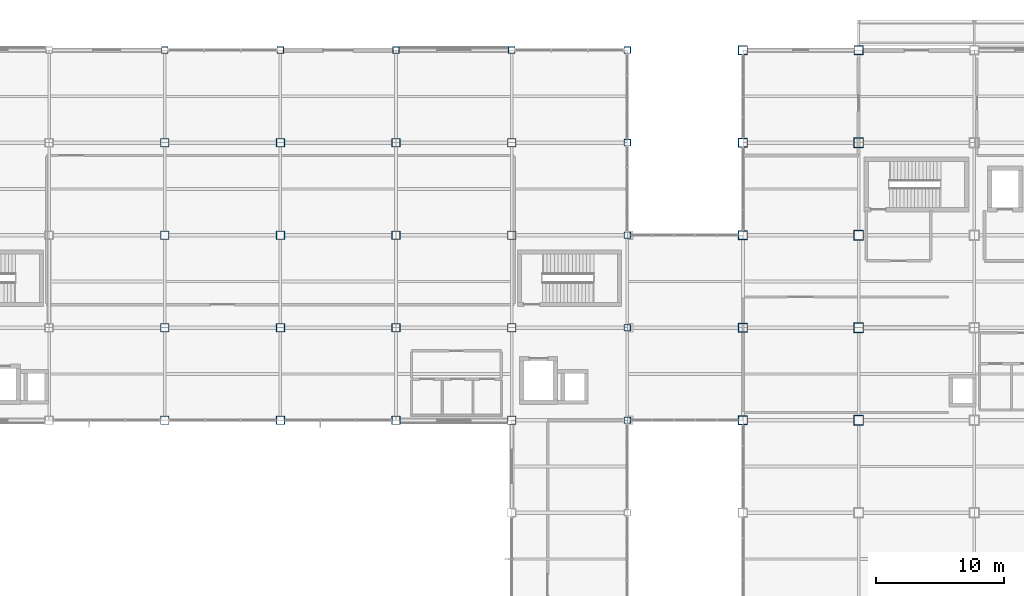
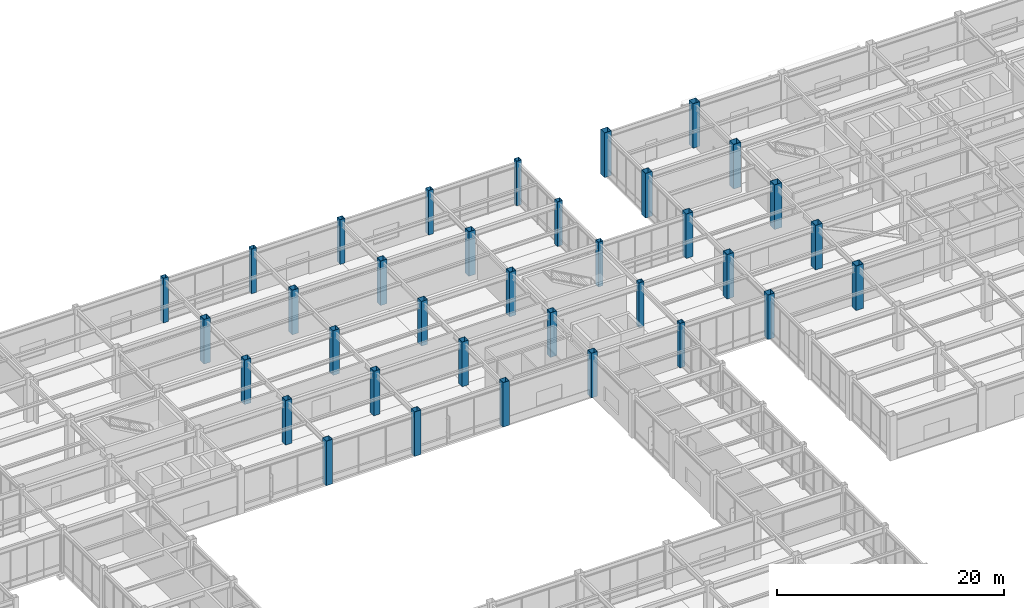
# One storey, part 9 of 112: 35 columns.
"""IFC4 building model written with IfcOpenShell, lengths in metres."""

import ifcopenshell
import ifcopenshell.guid

model = None  # the IFC model being written
_history = None  # IfcOwnerHistory: only IFC2X3 demands one
_inside = {}  # id of a spatial element -> (the spatial element, [elements in it])
_under = {}  # id of a project, library or spatial element -> (it, [spatial elements below it])
_declared = {}  # id of a project -> (the project, [libraries it declares])
_typed = {}  # id of a type object -> (the type object, [elements of that type])
_made_of = {}  # id of a material, layer set ... -> (it, [elements and type objects made of it])


def new_model(schema):
    """Start an empty IFC model of exactly this schema.

    Asked for "IFC4X3", IfcOpenShell would pick the latest addendum, in which some entities
    have other attributes; the version numbers below select the first issue.
    IFC2X3 requires an IfcOwnerHistory on every rooted entity: one is made here for all.
    """
    global model, _history
    if schema == "IFC4X3":
        model = ifcopenshell.file(schema_version=(4, 3, 0, 0))
    else:
        model = ifcopenshell.file(schema=schema)
    _inside.clear()
    _under.clear()
    _declared.clear()
    _typed.clear()
    _made_of.clear()
    _history = None
    if model.schema == "IFC2X3":
        org = make("IfcOrganization", Name="unknown")
        user = make(
            "IfcPersonAndOrganization",
            ThePerson=make("IfcPerson", FamilyName="unknown"),
            TheOrganization=org,
        )
        app = make(
            "IfcApplication",
            ApplicationDeveloper=org,
            Version="unknown",
            ApplicationFullName="unknown",
            ApplicationIdentifier="unknown",
        )
        _history = make(
            "IfcOwnerHistory",
            OwningUser=user,
            OwningApplication=app,
            ChangeAction="ADDED",
            CreationDate=0,
        )
    return model


def make(cls, **values):
    """One entity of the class cls with the attributes given. An attribute that is None is left unset."""
    return model.create_entity(
        cls, **{name: value for name, value in values.items() if value is not None}
    )


def rooted(cls, **values):
    """An entity with a GlobalId (a new one), such as an element, a storey or a relation."""
    return make(cls, GlobalId=ifcopenshell.guid.new(), OwnerHistory=_history, **values)


def si_unit(unit_type, name, prefix=None):
    """IfcSIUnit, for example si_unit("LENGTHUNIT", "METRE", prefix="MILLI")."""
    return make("IfcSIUnit", UnitType=unit_type, Prefix=prefix, Name=name)


def assignment(units):
    """IfcUnitAssignment: the units of a project."""
    return None if units is None else make("IfcUnitAssignment", Units=units)


def point(xyz):
    """IfcCartesianPoint."""
    return None if xyz is None else make("IfcCartesianPoint", Coordinates=xyz)


def direction(xyz):
    """IfcDirection."""
    return None if xyz is None else make("IfcDirection", DirectionRatios=xyz)


def frame(location, z_axis=None, x_axis=None):
    """IfcAxis2Placement3D, a coordinate frame: its origin and axes. An axis left out is left unset."""
    return make(
        "IfcAxis2Placement3D",
        Location=point(location),
        Axis=direction(z_axis),
        RefDirection=direction(x_axis),
    )


def frame_2d(location, x_axis=None):
    """IfcAxis2Placement2D, a coordinate frame in the plane: its origin and x axis."""
    return make(
        "IfcAxis2Placement2D", Location=point(location), RefDirection=direction(x_axis)
    )


def origin():
    """The frame at (0, 0, 0) with its axes left unset."""
    return frame((0.0, 0.0, 0.0))


def origin_2d():
    """The frame at (0, 0) in the plane with its x axis left unset."""
    return frame_2d((0.0, 0.0))


def place(relative_to, where):
    """IfcLocalPlacement: puts the frame where relative to a parent placement (None: the world)."""
    return make(
        "IfcLocalPlacement", PlacementRelTo=relative_to, RelativePlacement=where
    )


def context(
    kind, dimensions, precision=None, world=None, true_north=None, identifier=None
):
    """IfcGeometricRepresentationContext, for example the 3D "Model" context."""
    return make(
        "IfcGeometricRepresentationContext",
        ContextIdentifier=identifier,
        ContextType=kind,
        CoordinateSpaceDimension=dimensions,
        Precision=precision,
        WorldCoordinateSystem=world,
        TrueNorth=true_north,
    )


def subcontext(parent, identifier, kind, view, scale=None):
    """IfcGeometricRepresentationSubContext, for example "Body" below "Model"."""
    return make(
        "IfcGeometricRepresentationSubContext",
        ContextIdentifier=identifier,
        ContextType=kind,
        ParentContext=parent,
        TargetScale=scale,
        TargetView=view,
    )


def project(units=None, contexts=None):
    """IfcProject with its units and contexts."""
    return rooted(
        "IfcProject",
        Name="project",
        RepresentationContexts=contexts,
        UnitsInContext=assignment(units),
    )


def spatial(cls, under=None, at=None, **own):
    """A site, building, storey or space (cls), placed at a placement, below another one or the project."""
    s = rooted(cls, ObjectPlacement=at, **own)
    if under is not None:
        _under.setdefault(under.id(), (under, []))[1].append(s)
    return s


def profile(cls, at=None, kind="AREA", **sizes):
    """A parametric profile (cls). Its sizes go by their IFC names, for example OverallWidth=200.0."""
    return make(cls, ProfileType=kind, Position=at, **sizes)


def hollow_rectangle(**sizes):
    """IfcRectangleHollowProfileDef."""
    return profile("IfcRectangleHollowProfileDef", **sizes)


def extrude(swept, where, along, depth):
    """IfcExtrudedAreaSolid: the profile swept, set in the frame where, extruded along a direction by depth."""
    return make(
        "IfcExtrudedAreaSolid",
        SweptArea=swept,
        Position=where,
        ExtrudedDirection=direction(along),
        Depth=depth,
    )


def shape(context_of_items, identifier, shape_type, items):
    """IfcShapeRepresentation: the items that make up one representation, for example the "Body"."""
    return make(
        "IfcShapeRepresentation",
        ContextOfItems=context_of_items,
        RepresentationIdentifier=identifier,
        RepresentationType=shape_type,
        Items=items,
    )


def material(Name=None, Category=None):
    """IfcMaterial."""
    return make("IfcMaterial", Name=Name, Category=Category)


def material_profile(
    of_material, cross_section, Name=None, Category=None, Priority=None
):
    """IfcMaterialProfile: a cross section and its material."""
    return make(
        "IfcMaterialProfile",
        Name=Name,
        Material=of_material,
        Profile=cross_section,
        Priority=Priority,
        Category=Category,
    )


def profile_set(profiles, Name=None, composite=None):
    """IfcMaterialProfileSet."""
    return make(
        "IfcMaterialProfileSet",
        Name=Name,
        MaterialProfiles=profiles,
        CompositeProfile=composite,
    )


def made_of(thing, what):
    """Note that an element or type object is made of a material, layer set ...; save() writes the relation."""
    if what is not None:
        _made_of.setdefault(what.id(), (what, []))[1].append(thing)
    return thing


def type_object(cls, material=None, **own):
    """A type object (cls), such as IfcWallType, which elements share."""
    return made_of(rooted(cls, **own), material)


def element(
    cls,
    number,
    at=None,
    inside=None,
    cuts=None,
    type_object=None,
    material=None,
    context=None,
    identifier="Body",
    shape_type=None,
    held_by="IfcProductDefinitionShape",
    body=None,
    shapes=None,
    **own,
):
    """One element of the class cls, such as IfcWall. Its Tag is "e" and its number.

    at: its placement. inside: the storey or other place that contains it. cuts: it is an
    opening in that element (IfcRelVoidsElement). A single representation is given by context,
    identifier, shape_type and body (its items); several are given by shapes. held_by: the class
    of the entity that holds the representations. save() writes the other relations.
    """
    e = rooted(cls, Tag="e%d" % number, ObjectPlacement=at, **own)
    if body is not None:
        shapes = [shape(context, identifier, shape_type, body)]
    if shapes is not None:
        e.Representation = make(held_by, Representations=shapes)
    if inside is not None:
        _inside.setdefault(inside.id(), (inside, []))[1].append(e)
    if cuts is not None:
        rooted(
            "IfcRelVoidsElement", RelatingBuildingElement=cuts, RelatedOpeningElement=e
        )
    if type_object is not None:
        _typed.setdefault(type_object.id(), (type_object, []))[1].append(e)
    return made_of(e, material)


def aggregate(whole, parts):
    """IfcRelAggregates: a whole, such as a stair, and the parts it consists of."""
    return rooted("IfcRelAggregates", RelatingObject=whole, RelatedObjects=parts)


def save(model, path):
    """Write the relations noted so far, then the file.

    IfcRelAggregates (storeys below a building ...), IfcRelContainedInSpatialStructure (elements
    in a storey), IfcRelDefinesByType, IfcRelAssociatesMaterial and IfcRelDeclares: one each for
    every whole, place, type object, material and project.
    """
    for whole, parts in _under.values():
        aggregate(whole, parts)
    for where, things in _inside.values():
        rooted(
            "IfcRelContainedInSpatialStructure",
            RelatedElements=things,
            RelatingStructure=where,
        )
    for kind, things in _typed.values():
        rooted("IfcRelDefinesByType", RelatedObjects=things, RelatingType=kind)
    for what, things in _made_of.values():
        rooted("IfcRelAssociatesMaterial", RelatedObjects=things, RelatingMaterial=what)
    for by, libraries in _declared.values():
        rooted("IfcRelDeclares", RelatingContext=by, RelatedDefinitions=libraries)
    model.write(path)


model = new_model("IFC4")

# Units and contexts
model_context = context("Model", 3, precision=1e-05, world=origin(), true_north=direction((0.0, 1.0)))
body_context = subcontext(model_context, "Body", "Model", "MODEL_VIEW")
ifc_project = project(units=[si_unit("LENGTHUNIT", "METRE"), si_unit("AREAUNIT", "SQUARE_METRE"), si_unit("VOLUMEUNIT", "CUBIC_METRE"), si_unit("PLANEANGLEUNIT", "RADIAN"), si_unit("MASSUNIT", "GRAM", prefix="KILO")], contexts=[model_context])

# Site, building, storey
site_placement = place(None, origin())
site = spatial("IfcSite", under=ifc_project, at=site_placement, CompositionType="ELEMENT")
building_placement = place(site_placement, origin())
building = spatial("IfcBuilding", under=site, at=building_placement, Name="Kazanami Central Library", CompositionType="ELEMENT")
storey_placement = place(building_placement, origin())
storey = spatial("IfcBuildingStorey", under=building, at=storey_placement, Name="L01", CompositionType="ELEMENT", Elevation=0.0)

# Columns
ifc_material = material(Name="Steel BCP325 (325 MPa)", Category="steel")
ifc_material_profile_1 = material_profile(ifc_material, hollow_rectangle(XDim=0.5, YDim=0.5, WallThickness=0.02197265625, at=origin_2d()), Name="BCP-500x500x22")
ifc_profile_set_1 = profile_set([ifc_material_profile_1], Name="Steel BCP325 (325 MPa)")
column_type_1 = type_object("IfcColumnType", Name="COL-C-P1E", PredefinedType="COLUMN", material=ifc_profile_set_1)
for number, where, z_axis, x_axis, name in (
    (1, (72.0, 93.60009765625, 0.0), (0.0, 0.0, 1.0), (1.0, 0.0, 0.0), "Column C-P1E L01 9/O"),
    (2, (81.0, 93.60009765625, 0.0), (0.0, 0.0, 1.0), (1.0, 0.0, 0.0), "Column C-P1E L01 10/O"),
    (3, (90.0, 93.60009765625, 0.0), (0.0, 0.0, 1.0), (1.0, 0.0, 0.0), "Column C-P1E L01 11/O"),
    (4, (99.0, 93.60009765625, 0.0), (0.0, 0.0, 1.0), (1.0, 0.0, 0.0), "Column C-P1E L01 12/O"),
    (5, (108.0, 64.800048828125, 0.0), (0.0, 0.0, 1.0), (1.0, 0.0, 0.0), "Column C-P1E L01 13/K"),
    (6, (108.0, 72.0, 0.0), (0.0, 0.0, 1.0), (1.0, 0.0, 0.0), "Column C-P1E L01 13/L"),
    (7, (108.0, 79.199951171875, 0.0), (0.0, 0.0, 1.0), (1.0, 0.0, 0.0), "Column C-P1E L01 13/M"),
    (8, (108.0, 86.39990234375, 0.0), (0.0, 0.0, 1.0), (1.0, 0.0, 0.0), "Column C-P1E L01 13/N"),
    (9, (108.0, 93.60009765625, 0.0), (0.0, 0.0, 1.0), (1.0, 0.0, 0.0), "Column C-P1E L01 13/O"),
):
    element("IfcColumn", number, at=place(storey_placement, frame(where, z_axis=z_axis, x_axis=x_axis)), inside=storey, type_object=column_type_1, Name=name, PredefinedType="COLUMN", context=body_context, shape_type="SweptSolid", body=[
        extrude(hollow_rectangle(XDim=0.5, YDim=0.5, WallThickness=0.02197265625, at=origin_2d()), origin(), (0.0, 0.0, 1.0), 4.800048828125),
    ])
ifc_material_profile_2 = material_profile(ifc_material, hollow_rectangle(XDim=0.64990234375, YDim=0.64990234375, WallThickness=0.02490234375, at=origin_2d()), Name="BCP-650x650x25")
ifc_profile_set_2 = profile_set([ifc_material_profile_2], Name="Steel BCP325 (325 MPa)")
column_type_2 = type_object("IfcColumnType", Name="COL-C-P1I", PredefinedType="COLUMN", material=ifc_profile_set_2)
for number, where, z_axis, x_axis, name in (
    (10, (72.0, 64.800048828125, 0.0), (0.0, 0.0, 1.0), (1.0, 0.0, 0.0), "Column C-P1I L01 9/K"),
    (11, (72.0, 72.0, 0.0), (0.0, 0.0, 1.0), (1.0, 0.0, 0.0), "Column C-P1I L01 9/L"),
    (12, (72.0, 79.199951171875, 0.0), (0.0, 0.0, 1.0), (1.0, 0.0, 0.0), "Column C-P1I L01 9/M"),
    (13, (72.0, 86.39990234375, 0.0), (0.0, 0.0, 1.0), (1.0, 0.0, 0.0), "Column C-P1I L01 9/N"),
    (14, (81.0, 64.800048828125, 0.0), (0.0, 0.0, 1.0), (1.0, 0.0, 0.0), "Column C-P1I L01 10/K"),
    (15, (81.0, 72.0, 0.0), (0.0, 0.0, 1.0), (1.0, 0.0, 0.0), "Column C-P1I L01 10/L"),
    (16, (81.0, 79.199951171875, 0.0), (0.0, 0.0, 1.0), (1.0, 0.0, 0.0), "Column C-P1I L01 10/M"),
    (17, (81.0, 86.39990234375, 0.0), (0.0, 0.0, 1.0), (1.0, 0.0, 0.0), "Column C-P1I L01 10/N"),
    (18, (90.0, 64.800048828125, 0.0), (0.0, 0.0, 1.0), (1.0, 0.0, 0.0), "Column C-P1I L01 11/K"),
    (19, (90.0, 72.0, 0.0), (0.0, 0.0, 1.0), (1.0, 0.0, 0.0), "Column C-P1I L01 11/L"),
    (20, (90.0, 79.199951171875, 0.0), (0.0, 0.0, 1.0), (1.0, 0.0, 0.0), "Column C-P1I L01 11/M"),
    (21, (90.0, 86.39990234375, 0.0), (0.0, 0.0, 1.0), (1.0, 0.0, 0.0), "Column C-P1I L01 11/N"),
    (22, (99.0, 64.800048828125, 0.0), (0.0, 0.0, 1.0), (1.0, 0.0, 0.0), "Column C-P1I L01 12/K"),
    (23, (99.0, 72.0, 0.0), (0.0, 0.0, 1.0), (1.0, 0.0, 0.0), "Column C-P1I L01 12/L"),
    (24, (99.0, 79.199951171875, 0.0), (0.0, 0.0, 1.0), (1.0, 0.0, 0.0), "Column C-P1I L01 12/M"),
    (25, (99.0, 86.39990234375, 0.0), (0.0, 0.0, 1.0), (1.0, 0.0, 0.0), "Column C-P1I L01 12/N"),
):
    element("IfcColumn", number, at=place(storey_placement, frame(where, z_axis=z_axis, x_axis=x_axis)), inside=storey, type_object=column_type_2, Name=name, PredefinedType="COLUMN", context=body_context, shape_type="SweptSolid", body=[
        extrude(hollow_rectangle(XDim=0.64990234375, YDim=0.64990234375, WallThickness=0.02490234375, at=origin_2d()), origin(), (0.0, 0.0, 1.0), 4.800048828125),
    ])
ifc_material_profile_3 = material_profile(ifc_material, hollow_rectangle(XDim=0.75, YDim=0.75, WallThickness=0.031982421875, at=origin_2d()), Name="BCP-750x750x32")
ifc_profile_set_3 = profile_set([ifc_material_profile_3], Name="Steel BCP325 (325 MPa)")
column_type_3 = type_object("IfcColumnType", Name="COL-C-T1I", PredefinedType="COLUMN", material=ifc_profile_set_3)
for number, where, z_axis, x_axis, name in (
    (26, (126.0, 64.800048828125, 0.0), (0.0, 0.0, 1.0), (1.0, 0.0, 0.0), "Column C-T1I L01 15/K"),
    (27, (126.0, 72.0, 0.0), (0.0, 0.0, 1.0), (1.0, 0.0, 0.0), "Column C-T1I L01 15/L"),
    (28, (126.0, 79.199951171875, 0.0), (0.0, 0.0, 1.0), (1.0, 0.0, 0.0), "Column C-T1I L01 15/M"),
    (29, (126.0, 86.39990234375, 0.0), (0.0, 0.0, 1.0), (1.0, 0.0, 0.0), "Column C-T1I L01 15/N"),
):
    element("IfcColumn", number, at=place(storey_placement, frame(where, z_axis=z_axis, x_axis=x_axis)), inside=storey, type_object=column_type_3, Name=name, PredefinedType="COLUMN", context=body_context, shape_type="SweptSolid", body=[
        extrude(hollow_rectangle(XDim=0.75, YDim=0.75, WallThickness=0.031982421875, at=origin_2d()), origin(), (0.0, 0.0, 1.0), 4.800048828125),
    ])
ifc_material_profile_4 = material_profile(ifc_material, hollow_rectangle(XDim=0.699951171875, YDim=0.699951171875, WallThickness=0.028076171875, at=origin_2d()), Name="BCP-700x700x28")
ifc_profile_set_4 = profile_set([ifc_material_profile_4], Name="Steel BCP325 (325 MPa)")
column_type_4 = type_object("IfcColumnType", Name="COL-C-T1P", PredefinedType="COLUMN", material=ifc_profile_set_4)
for number, where, z_axis, x_axis, name in (
    (30, (117.0, 64.800048828125, 0.0), (0.0, 0.0, 1.0), (1.0, 0.0, 0.0), "Column C-T1P L01 14/K"),
    (31, (117.0, 72.0, 0.0), (0.0, 0.0, 1.0), (1.0, 0.0, 0.0), "Column C-T1P L01 14/L"),
    (32, (117.0, 79.199951171875, 0.0), (0.0, 0.0, 1.0), (1.0, 0.0, 0.0), "Column C-T1P L01 14/M"),
    (33, (117.0, 86.39990234375, 0.0), (0.0, 0.0, 1.0), (1.0, 0.0, 0.0), "Column C-T1P L01 14/N"),
    (34, (117.0, 93.60009765625, 0.0), (0.0, 0.0, 1.0), (1.0, 0.0, 0.0), "Column C-T1P L01 14/O"),
    (35, (126.0, 93.60009765625, 0.0), (0.0, 0.0, 1.0), (1.0, 0.0, 0.0), "Column C-T1P L01 15/O"),
):
    element("IfcColumn", number, at=place(storey_placement, frame(where, z_axis=z_axis, x_axis=x_axis)), inside=storey, type_object=column_type_4, Name=name, PredefinedType="COLUMN", context=body_context, shape_type="SweptSolid", body=[
        extrude(hollow_rectangle(XDim=0.699951171875, YDim=0.699951171875, WallThickness=0.028076171875, at=origin_2d()), origin(), (0.0, 0.0, 1.0), 4.800048828125),
    ])

save(model, "model.ifc")
